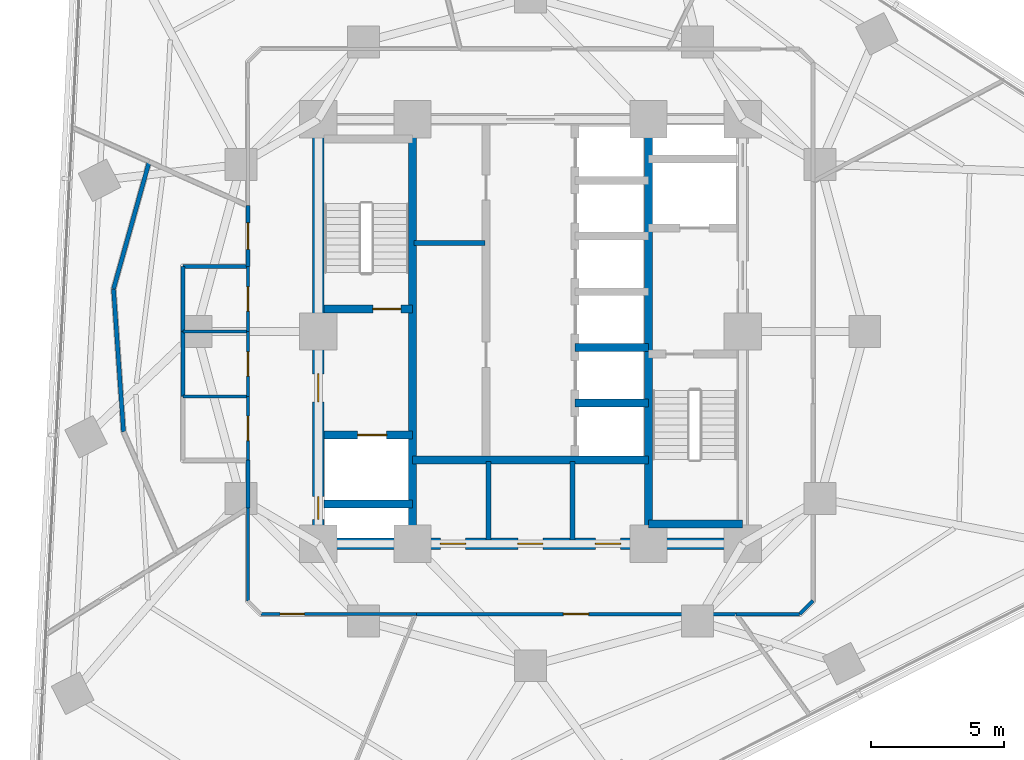
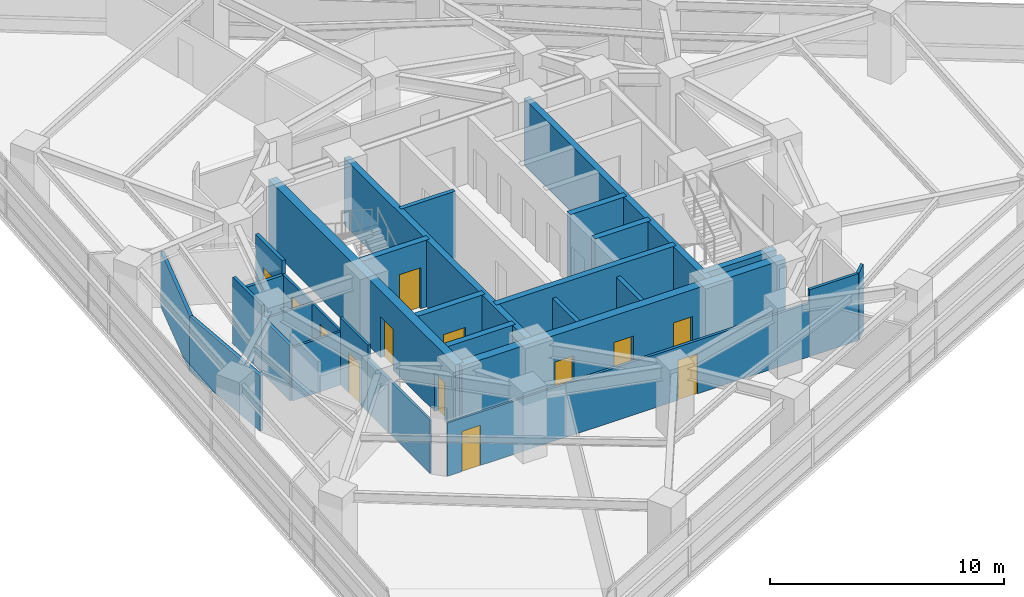
# One storey, part 8 of 14: 31 walls, 13 doors, 13 openings.
"""IFC4 building model written with IfcOpenShell, lengths in metres."""

from ifc_helpers import new_model, si_unit, direction, frame, frame_2d, origin, place, context, subcontext, project, spatial, rectangle, extrude, material, layer, layer_set, type_object, element, fill, save


model = new_model("IFC4")

# Units and contexts
model_context = context("Model", 3, precision=1e-05, world=origin(), true_north=direction((0.0, 1.0)))
body_context = subcontext(model_context, "Body", "Model", "MODEL_VIEW")
ifc_project = project(units=[si_unit("LENGTHUNIT", "METRE"), si_unit("AREAUNIT", "SQUARE_METRE"), si_unit("VOLUMEUNIT", "CUBIC_METRE"), si_unit("PLANEANGLEUNIT", "RADIAN"), si_unit("MASSUNIT", "GRAM", prefix="KILO")], contexts=[model_context])

# Site, building, storey
site_placement = place(None, origin())
site = spatial("IfcSite", under=ifc_project, at=site_placement, CompositionType="ELEMENT")
building_placement = place(site_placement, origin())
building = spatial("IfcBuilding", under=site, at=building_placement, Name="Terralouvre Media Tower", CompositionType="ELEMENT")
storey_placement = place(building_placement, frame((0.0, 0.0, 138.39990234375)))
storey = spatial("IfcBuildingStorey", under=building, at=storey_placement, Name="L35", CompositionType="ELEMENT", Elevation=138.39990234375)

# Walls
ifc_material_1 = material(Name="Concrete C50/60", Category="concrete")
ifc_layer_1 = layer(ifc_material_1, 0.300048828125, Name="Core Internal Shaft Wall CW-300")
ifc_layer_set_1 = layer_set([ifc_layer_1], Name="Concrete C50/60")
wall_type_1 = type_object("IfcWallType", Name="Core Internal Shaft Wall CW-300", PredefinedType="SHEAR", material=ifc_layer_set_1)
for number, where, z_axis, x_axis, name in (
    (1, (-4.449951171875, -7.7900390625, 0.0), (0.0, 0.0, 1.0), (0.0, 1.0, 0.0), "L35 Core Shaft Wall SPW"),
    (2, (4.449951171875, -7.7900390625, 0.0), (0.0, 0.0, 1.0), (0.0, 1.0, 0.0), "L35 Core Shaft Wall SPE"),
):
    element("IfcWall", number, at=place(storey_placement, frame(where, z_axis=z_axis, x_axis=x_axis)), inside=storey, type_object=wall_type_1, Name=name, PredefinedType="SHEAR", context=body_context, shape_type="SweptSolid", body=[
        extrude(rectangle(XDim=15.580078125, YDim=0.300048828125, at=frame_2d((7.7900390625, 0.0))), origin(), (0.0, 0.0, 1.0), 3.5),
    ])

# Wall, opening, door
wall_1_placement = place(storey_placement, frame((-7.7900390625, 0.85009765625, 0.0), z_axis=(0.0, 0.0, 1.0), x_axis=(1.0, 0.0, 0.0)))
wall_1 = element("IfcWall", 3, at=wall_1_placement, inside=storey, type_object=wall_type_1, Name="L35 Core Shaft Wall ST1D", PredefinedType="SHEAR", context=body_context, shape_type="SweptSolid", body=[
    extrude(rectangle(XDim=3.340087890625, YDim=0.300048828125, at=frame_2d((1.669921875, 0.0))), origin(), (0.0, 0.0, 1.0), 3.5),
])
opening_1_placement = place(wall_1_placement, frame((1.85009765625, 0.0, 0.0)))
opening_1 = element("IfcOpeningElement", 4, at=opening_1_placement, cuts=wall_1, Name="Opening FD-01-105X215", PredefinedType="OPENING", context=body_context, shape_type="SweptSolid", body=[
    extrude(rectangle(XDim=1.050048828125, YDim=2.14990234375, at=frame_2d((0.52490234375, 1.074951171875))), frame((0.0, 0.159912109375, 0.0), z_axis=(0.0, -1.0, 0.0), x_axis=(1.0, 0.0, 0.0)), (0.0, 0.0, 1.0), 0.320068359375),
])
ifc_material_2 = material(Name="Galvanised steel fire-resisting leaf", Category="steel")
door_type_1 = type_object("IfcDoorType", Name="Stair and Firefighting Lobby Fire Door FD-01 (1050x2150)", OperationType="NOTDEFINED", PredefinedType="DOOR", material=ifc_material_2)
door_1_placement = place(opening_1_placement, origin())
door_1 = element("IfcDoor", 5, at=door_1_placement, inside=storey, type_object=door_type_1, Name="L35 ST-01 Exit Stair Door", OperationType="SINGLE_SWING_LEFT", OverallHeight=2.14990234375, OverallWidth=1.050048828125, PredefinedType="DOOR", context=body_context, shape_type="SweptSolid", body=[
    extrude(rectangle(XDim=1.050048828125, YDim=2.14990234375, at=frame_2d((0.52490234375, 1.074951171875))), frame((0.0, 0.02490234375, 0.0), z_axis=(0.0, -1.0, 0.0), x_axis=(1.0, 0.0, 0.0)), (0.0, 0.0, 1.0), 0.050048828125),
])
fill(opening_1, door_1)

# Wall
wall_2_placement = place(storey_placement, frame((4.449951171875, -7.260009765625, 0.0), z_axis=(0.0, 0.0, 1.0), x_axis=(1.0, 0.0, 0.0)))
element("IfcWall", 6, at=wall_2_placement, inside=storey, type_object=wall_type_1, Name="L35 Core Shaft Wall ST2F", PredefinedType="SHEAR", context=body_context, shape_type="SweptSolid", body=[
    extrude(rectangle(XDim=3.550048828125, YDim=0.300048828125, at=frame_2d((1.77490234375, 0.0))), origin(), (0.0, 0.0, 1.0), 3.5),
])

# Wall, opening, door
wall_3_placement = place(storey_placement, frame((-7.7900390625, -3.89990234375, 0.0), z_axis=(0.0, 0.0, 1.0), x_axis=(1.0, 0.0, 0.0)))
wall_3 = element("IfcWall", 7, at=wall_3_placement, inside=storey, type_object=wall_type_1, Name="L35 Core Shaft Wall FF1N", PredefinedType="SHEAR", context=body_context, shape_type="SweptSolid", body=[
    extrude(rectangle(XDim=3.340087890625, YDim=0.300048828125, at=frame_2d((1.669921875, 0.0))), origin(), (0.0, 0.0, 1.0), 3.5),
])
opening_2_placement = place(wall_3_placement, frame((1.27001953125, 0.0, 0.0)))
opening_2 = element("IfcOpeningElement", 8, at=opening_2_placement, cuts=wall_3, Name="Opening LD-FF", PredefinedType="OPENING", context=body_context, shape_type="SweptSolid", body=[
    extrude(rectangle(XDim=1.10009765625, YDim=2.10009765625, at=frame_2d((0.550048828125, 1.050048828125))), frame((0.0, 0.159912109375, 0.0), z_axis=(0.0, -1.0, 0.0), x_axis=(1.0, 0.0, 0.0)), (0.0, 0.0, 1.0), 0.320068359375),
])
ifc_material_3 = material(Name="Stainless steel 316 handrail and balustrade", Category="steel")
door_type_2 = type_object("IfcDoorType", Name="Firefighting Lift Sliding Landing Door LD-FF", OperationType="SLIDING_TO_LEFT", PredefinedType="DOOR", material=ifc_material_3)
door_2_placement = place(opening_2_placement, origin())
door_2 = element("IfcDoor", 9, at=door_2_placement, inside=storey, type_object=door_type_2, Name="L35 Firefighting Lift FFL-01 Landing Door", OperationType="SLIDING_TO_LEFT", OverallHeight=2.10009765625, OverallWidth=1.10009765625, PredefinedType="DOOR", context=body_context, shape_type="SweptSolid", body=[
    extrude(rectangle(XDim=1.10009765625, YDim=2.10009765625, at=frame_2d((0.550048828125, 1.050048828125))), frame((0.0, 0.02490234375, 0.0), z_axis=(0.0, -1.0, 0.0), x_axis=(1.0, 0.0, 0.0)), (0.0, 0.0, 1.0), 0.050048828125),
])
fill(opening_2, door_2)

# Walls
wall_4_placement = place(storey_placement, frame((-7.7900390625, -6.5, 0.0), z_axis=(0.0, 0.0, 1.0), x_axis=(1.0, 0.0, 0.0)))
element("IfcWall", 10, at=wall_4_placement, inside=storey, type_object=wall_type_1, Name="L35 Core Shaft Wall FF1S", PredefinedType="SHEAR", context=body_context, shape_type="SweptSolid", body=[
    extrude(rectangle(XDim=3.340087890625, YDim=0.300048828125, at=frame_2d((1.669921875, 0.0))), origin(), (0.0, 0.0, 1.0), 3.5),
])
wall_5_placement = place(storey_placement, frame((-4.449951171875, -4.85009765625, 0.0), z_axis=(0.0, 0.0, 1.0), x_axis=(1.0, 0.0, 0.0)))
element("IfcWall", 11, at=wall_5_placement, inside=storey, type_object=wall_type_1, Name="L35 Core Shaft Wall CSBN", PredefinedType="SHEAR", context=body_context, shape_type="SweptSolid", body=[
    extrude(rectangle(XDim=8.89990234375, YDim=0.300048828125, at=frame_2d((4.449951171875, 0.0))), origin(), (0.0, 0.0, 1.0), 3.5),
])
for number, where, z_axis, x_axis, name in (
    (12, (1.679931640625, -2.699951171875, 0.0), (0.0, 0.0, 1.0), (1.0, 0.0, 0.0), "L35 Core Shaft Wall PLHD1"),
    (13, (1.679931640625, -0.60009765625, 0.0), (0.0, 0.0, 1.0), (1.0, 0.0, 0.0), "L35 Core Shaft Wall PLHD2"),
):
    element("IfcWall", number, at=place(storey_placement, frame(where, z_axis=z_axis, x_axis=x_axis)), inside=storey, type_object=wall_type_1, Name=name, PredefinedType="SHEAR", context=body_context, shape_type="SweptSolid", body=[
        extrude(rectangle(XDim=2.77001953125, YDim=0.300048828125, at=frame_2d((1.385009765625, 0.0))), origin(), (0.0, 0.0, 1.0), 3.5),
    ])

# Wall, openings, doors
ifc_material_4 = material(Name="Concrete C60/75", Category="concrete")
ifc_layer_2 = layer(ifc_material_4, 0.419921875, Name="Core Reinforced Concrete Shear Wall CW-420")
ifc_layer_set_2 = layer_set([ifc_layer_2], Name="Concrete C60/75")
wall_type_2 = type_object("IfcWallType", Name="Core Reinforced Concrete Shear Wall CW-420", PredefinedType="SHEAR", material=ifc_layer_set_2)
wall_6_placement = place(storey_placement, frame((-8.0, -8.0, 0.0), z_axis=(0.0, 0.0, 1.0), x_axis=(0.0, 1.0, 0.0)))
wall_6 = element("IfcWall", 14, at=wall_6_placement, inside=storey, type_object=wall_type_2, Name="L35 W Core Shear Wall", PredefinedType="SHEAR", context=body_context, shape_type="SweptSolid", body=[
    extrude(rectangle(XDim=16.0, YDim=0.419921875, at=frame_2d((8.0, 0.0))), origin(), (0.0, 0.0, 1.0), 3.5),
])
opening_3_placement = place(wall_6_placement, frame((0.921630859375, 0.0, 0.0)))
opening_3 = element("IfcOpeningElement", 15, at=opening_3_placement, cuts=wall_6, Name="Opening TD-R1", PredefinedType="OPENING", context=body_context, shape_type="SweptSolid", body=[
    extrude(rectangle(XDim=0.85009765625, YDim=2.02001953125, at=frame_2d((0.425048828125, 1.010009765625))), frame((0.0, 0.219970703125, 0.0), z_axis=(0.0, -1.0, 0.0), x_axis=(1.0, 0.0, 0.0)), (0.0, 0.0, 1.0), 0.43994140625),
])
opening_4_placement = place(wall_6_placement, frame((5.35009765625, 0.0, 0.0)))
opening_4 = element("IfcOpeningElement", 16, at=opening_4_placement, cuts=wall_6, Name="Opening FD-01-105X215", PredefinedType="OPENING", context=body_context, shape_type="SweptSolid", body=[
    extrude(rectangle(XDim=1.050048828125, YDim=2.14990234375, at=frame_2d((0.52490234375, 1.074951171875))), frame((0.0, 0.219970703125, 0.0), z_axis=(0.0, -1.0, 0.0), x_axis=(1.0, 0.0, 0.0)), (0.0, 0.0, 1.0), 0.43994140625),
])
ifc_material_5 = material(Name="Galvanised steel fire-resisting leaf", Category="steel")
door_type_3 = type_object("IfcDoorType", Name="Riser Inspection Access Trapdoor TD-R1", OperationType="NOTDEFINED", PredefinedType="TRAPDOOR", material=ifc_material_5)
door_3_placement = place(opening_3_placement, origin())
door_3 = element("IfcDoor", 17, at=door_3_placement, inside=storey, type_object=door_type_3, Name="L35 Wet Riser Access Trapdoor", OperationType="SINGLE_SWING_LEFT", OverallHeight=2.02001953125, OverallWidth=0.85009765625, PredefinedType="TRAPDOOR", context=body_context, shape_type="SweptSolid", body=[
    extrude(rectangle(XDim=0.85009765625, YDim=2.02001953125, at=frame_2d((0.425048828125, 1.010009765625))), frame((0.0, 0.02490234375, 0.0), z_axis=(0.0, -1.0, 0.0), x_axis=(1.0, 0.0, 0.0)), (0.0, 0.0, 1.0), 0.050048828125),
])
fill(opening_3, door_3)
door_4_placement = place(opening_4_placement, origin())
door_4 = element("IfcDoor", 18, at=door_4_placement, inside=storey, type_object=door_type_1, Name="L35 West Firefighting Lobby Entry Door", OperationType="SINGLE_SWING_RIGHT", OverallHeight=2.14990234375, OverallWidth=1.050048828125, PredefinedType="DOOR", context=body_context, shape_type="SweptSolid", body=[
    extrude(rectangle(XDim=1.050048828125, YDim=2.14990234375, at=frame_2d((0.52490234375, 1.074951171875))), frame((0.0, 0.02490234375, 0.0), z_axis=(0.0, -1.0, 0.0), x_axis=(1.0, 0.0, 0.0)), (0.0, 0.0, 1.0), 0.050048828125),
])
fill(opening_4, door_4)

wall_7_placement = place(storey_placement, frame((-8.0, -8.0, 0.0), z_axis=(0.0, 0.0, 1.0), x_axis=(1.0, 0.0, 0.0)))
wall_7 = element("IfcWall", 19, at=wall_7_placement, inside=storey, type_object=wall_type_2, Name="L35 S Core Shear Wall", PredefinedType="SHEAR", context=body_context, shape_type="SweptSolid", body=[
    extrude(rectangle(XDim=16.0, YDim=0.419921875, at=frame_2d((8.0, 0.0))), origin(), (0.0, 0.0, 1.0), 3.5),
])
opening_5_placement = place(wall_7_placement, frame((4.60009765625, 0.0, 0.0)))
opening_5 = element("IfcOpeningElement", 20, at=opening_5_placement, cuts=wall_7, Name="Opening FD-02-95X210", PredefinedType="OPENING", context=body_context, shape_type="SweptSolid", body=[
    extrude(rectangle(XDim=0.949951171875, YDim=2.10009765625, at=frame_2d((0.47509765625, 1.050048828125))), frame((0.0, 0.219970703125, 0.0), z_axis=(0.0, -1.0, 0.0), x_axis=(1.0, 0.0, 0.0)), (0.0, 0.0, 1.0), 0.43994140625),
])
opening_6_placement = place(wall_7_placement, frame((7.52001953125, 0.0, 0.0)))
opening_6 = element("IfcOpeningElement", 21, at=opening_6_placement, cuts=wall_7, Name="Opening FD-02-95X210", PredefinedType="OPENING", context=body_context, shape_type="SweptSolid", body=[
    extrude(rectangle(XDim=0.949951171875, YDim=2.10009765625, at=frame_2d((0.47509765625, 1.050048828125))), frame((0.0, 0.219970703125, 0.0), z_axis=(0.0, -1.0, 0.0), x_axis=(1.0, 0.0, 0.0)), (0.0, 0.0, 1.0), 0.43994140625),
])
opening_7_placement = place(wall_7_placement, frame((10.449951171875, 0.0, 0.0)))
opening_7 = element("IfcOpeningElement", 22, at=opening_7_placement, cuts=wall_7, Name="Opening FD-02-95X210", PredefinedType="OPENING", context=body_context, shape_type="SweptSolid", body=[
    extrude(rectangle(XDim=0.949951171875, YDim=2.10009765625, at=frame_2d((0.47509765625, 1.050048828125))), frame((0.0, 0.219970703125, 0.0), z_axis=(0.0, -1.0, 0.0), x_axis=(1.0, 0.0, 0.0)), (0.0, 0.0, 1.0), 0.43994140625),
])
ifc_material_6 = material(Name="Galvanised steel fire-resisting leaf", Category="steel")
door_type_4 = type_object("IfcDoorType", Name="Plant and Riser Fire Door FD-02 (950x2100)", OperationType="NOTDEFINED", PredefinedType="DOOR", material=ifc_material_6)
door_5_placement = place(opening_5_placement, origin())
door_5 = element("IfcDoor", 23, at=door_5_placement, inside=storey, type_object=door_type_4, Name="L35 Core Janitor Store Door", OperationType="SINGLE_SWING_LEFT", OverallHeight=2.10009765625, OverallWidth=0.949951171875, PredefinedType="DOOR", context=body_context, shape_type="SweptSolid", body=[
    extrude(rectangle(XDim=0.949951171875, YDim=2.10009765625, at=frame_2d((0.47509765625, 1.050048828125))), frame((0.0, 0.02490234375, 0.0), z_axis=(0.0, -1.0, 0.0), x_axis=(1.0, 0.0, 0.0)), (0.0, 0.0, 1.0), 0.050048828125),
])
fill(opening_5, door_5)
door_6_placement = place(opening_6_placement, origin())
door_6 = element("IfcDoor", 24, at=door_6_placement, inside=storey, type_object=door_type_4, Name="L35 Core Linen Store Door", OperationType="SINGLE_SWING_RIGHT", OverallHeight=2.10009765625, OverallWidth=0.949951171875, PredefinedType="DOOR", context=body_context, shape_type="SweptSolid", body=[
    extrude(rectangle(XDim=0.949951171875, YDim=2.10009765625, at=frame_2d((0.47509765625, 1.050048828125))), frame((0.0, 0.02490234375, 0.0), z_axis=(0.0, -1.0, 0.0), x_axis=(1.0, 0.0, 0.0)), (0.0, 0.0, 1.0), 0.050048828125),
])
fill(opening_6, door_6)
door_7_placement = place(opening_7_placement, origin())
door_7 = element("IfcDoor", 25, at=door_7_placement, inside=storey, type_object=door_type_4, Name="L35 Core Metering Plant Door", OperationType="SINGLE_SWING_LEFT", OverallHeight=2.10009765625, OverallWidth=0.949951171875, PredefinedType="DOOR", context=body_context, shape_type="SweptSolid", body=[
    extrude(rectangle(XDim=0.949951171875, YDim=2.10009765625, at=frame_2d((0.47509765625, 1.050048828125))), frame((0.0, 0.02490234375, 0.0), z_axis=(0.0, -1.0, 0.0), x_axis=(1.0, 0.0, 0.0)), (0.0, 0.0, 1.0), 0.050048828125),
])
fill(opening_7, door_7)

# Wall
ifc_material_7 = material(Name="Low-iron laminated double glazing with solar-control coating", Category="glass")
ifc_layer_3 = layer(ifc_material_7, 0.10009765625, Name="Demountable Glazed Office Partition PT-GL100")
ifc_layer_set_3 = layer_set([ifc_layer_3], Name="Low-iron laminated double glazing with solar-control coating")
wall_type_3 = type_object("IfcWallType", Name="Demountable Glazed Office Partition PT-GL100", PredefinedType="MOVABLE", material=ifc_layer_set_3)
wall_8_placement = place(storey_placement, frame((-10.64990234375, -6.655029296875, 0.0), z_axis=(0.0, 0.0, 1.0), x_axis=(0.0, -1.0, 0.0)))
element("IfcWall", 26, at=wall_8_placement, inside=storey, type_object=wall_type_3, Name="L35 Interior Partition 005", PredefinedType="MOVABLE", context=body_context, shape_type="SweptSolid", body=[
    extrude(rectangle(XDim=3.494873046875, YDim=0.10009765625, at=frame_2d((1.74755859375, 0.0))), origin(), (0.0, 0.0, 1.0), 2.78515625),
])

# Wall, opening, door
wall_9_placement = place(storey_placement, frame((-10.14990234375, -10.64990234375, 0.0), z_axis=(0.0, 0.0, 1.0), x_axis=(1.0, 0.0, 0.0)))
wall_9 = element("IfcWall", 27, at=wall_9_placement, inside=storey, type_object=wall_type_3, Name="L35 Interior Partition 007", PredefinedType="MOVABLE", context=body_context, shape_type="SweptSolid", body=[
    extrude(rectangle(XDim=5.846923828125, YDim=0.10009765625, at=frame_2d((2.92333984375, 0.0))), origin(), (0.0, 0.0, 1.0), 2.78515625),
])
opening_8_placement = place(wall_9_placement, frame((0.70947265625, 0.0, 0.0)))
opening_8 = element("IfcOpeningElement", 28, at=opening_8_placement, cuts=wall_9, Name="Opening ID-03-92X210", PredefinedType="OPENING", context=body_context, shape_type="SweptSolid", body=[
    extrude(rectangle(XDim=0.919921875, YDim=2.10009765625, at=frame_2d((0.4599609375, 1.050048828125))), frame((0.0, 0.06005859375, 0.0), z_axis=(0.0, -1.0, 0.0), x_axis=(1.0, 0.0, 0.0)), (0.0, 0.0, 1.0), 0.1201171875),
])
ifc_material_8 = material(Name="Engineered hardwood acoustic timber leaf", Category="wood")
door_type_5 = type_object("IfcDoorType", Name="Accessible Restroom and Suite Door ID-03 (920x2100)", OperationType="NOTDEFINED", PredefinedType="DOOR", material=ifc_material_8)
door_8_placement = place(opening_8_placement, origin())
door_8 = element("IfcDoor", 29, at=door_8_placement, inside=storey, type_object=door_type_5, Name="L35 Arts Critique Seminar Room 3 Door", OperationType="SINGLE_SWING_LEFT", OverallHeight=2.10009765625, OverallWidth=0.919921875, PredefinedType="DOOR", context=body_context, shape_type="SweptSolid", body=[
    extrude(rectangle(XDim=0.919921875, YDim=2.10009765625, at=frame_2d((0.4599609375, 1.050048828125))), frame((0.0, 0.02490234375, 0.0), z_axis=(0.0, -1.0, 0.0), x_axis=(1.0, 0.0, 0.0)), (0.0, 0.0, 1.0), 0.050048828125),
])
fill(opening_8, door_8)

# Walls
ifc_material_9 = material(Name="Fire-rated gypsum board drywall partition")
ifc_layer_4 = layer(ifc_material_9, 0.199951171875, Name="Fire-Rated Shaft and Lobby Partition FW-200")
ifc_layer_set_4 = layer_set([ifc_layer_4], Name="Fire-rated gypsum board drywall partition")
wall_type_4 = type_object("IfcWallType", Name="Fire-Rated Shaft and Lobby Partition FW-200", PredefinedType="SOLIDWALL", material=ifc_layer_set_4)
for number, where, z_axis, x_axis, name in (
    (30, (-1.580078125, -7.85009765625, 0.0), (0.0, 0.0, 1.0), (0.0, 1.0, 0.0), "L35 Core Service Bay Partition 1"),
    (31, (1.580078125, -7.85009765625, 0.0), (0.0, 0.0, 1.0), (0.0, 1.0, 0.0), "L35 Core Service Bay Partition 2"),
):
    element("IfcWall", number, at=place(storey_placement, frame(where, z_axis=z_axis, x_axis=x_axis)), inside=storey, type_object=wall_type_4, Name=name, PredefinedType="SOLIDWALL", context=body_context, shape_type="SweptSolid", body=[
        extrude(rectangle(XDim=2.9501953125, YDim=0.199951171875, at=frame_2d((1.47509765625, 0.0))), origin(), (0.0, 0.0, 1.0), 2.885009765625),
    ])
wall_10_placement = place(storey_placement, frame((-4.39990234375, 3.340087890625, 0.0), z_axis=(0.0, 0.0, 1.0), x_axis=(1.0, 0.0, 0.0)))
element("IfcWall", 32, at=wall_10_placement, inside=storey, type_object=wall_type_4, Name="L35 Core West Sub-Partition 1", PredefinedType="SOLIDWALL", context=body_context, shape_type="SweptSolid", body=[
    extrude(rectangle(XDim=2.679931640625, YDim=0.199951171875, at=frame_2d((1.33984375, 0.0))), origin(), (0.0, 0.0, 1.0), 3.5),
])

# Wall, opening, door
ifc_material_10 = material(Name="Fire-rated gypsum board drywall partition")
ifc_layer_5 = layer(ifc_material_10, 0.135009765625, Name="Newsroom Acoustic Partition PT-135")
ifc_layer_set_5 = layer_set([ifc_layer_5], Name="Fire-rated gypsum board drywall partition")
wall_type_5 = type_object("IfcWallType", Name="Newsroom Acoustic Partition PT-135", PredefinedType="PARTITIONING", material=ifc_layer_set_5)
wall_11_placement = place(storey_placement, frame((-4.302978515625, -10.64990234375, 0.0), z_axis=(0.0, 0.0, 1.0), x_axis=(1.0, 0.0, 0.0)))
wall_11 = element("IfcWall", 33, at=wall_11_placement, inside=storey, type_object=wall_type_5, Name="L35 Interior Partition 008", PredefinedType="PARTITIONING", context=body_context, shape_type="SweptSolid", body=[
    extrude(rectangle(XDim=12.041015625, YDim=0.135009765625, at=frame_2d((6.0205078125, 0.0))), origin(), (0.0, 0.0, 1.0), 2.78515625),
])
opening_9_placement = place(wall_11_placement, frame((5.54541015625, 0.0, 0.0)))
opening_9 = element("IfcOpeningElement", 34, at=opening_9_placement, cuts=wall_11, Name="Opening ID-02-95X210", PredefinedType="OPENING", context=body_context, shape_type="SweptSolid", body=[
    extrude(rectangle(XDim=0.949951171875, YDim=2.10009765625, at=frame_2d((0.47509765625, 1.050048828125))), frame((0.0, 0.077392578125, 0.0), z_axis=(0.0, -1.0, 0.0), x_axis=(1.0, 0.0, 0.0)), (0.0, 0.0, 1.0), 0.155029296875),
])
ifc_material_11 = material(Name="Engineered hardwood acoustic timber leaf", Category="wood")
door_type_6 = type_object("IfcDoorType", Name="Office and Meeting Room Door ID-02 (950x2100)", OperationType="NOTDEFINED", PredefinedType="DOOR", material=ifc_material_11)
door_9_placement = place(opening_9_placement, origin())
door_9 = element("IfcDoor", 35, at=door_9_placement, inside=storey, type_object=door_type_6, Name="L35 Cultural Quarterly Editorial Office 4 Door", OperationType="SINGLE_SWING_RIGHT", OverallHeight=2.10009765625, OverallWidth=0.949951171875, PredefinedType="DOOR", context=body_context, shape_type="SweptSolid", body=[
    extrude(rectangle(XDim=0.949951171875, YDim=2.10009765625, at=frame_2d((0.47509765625, 1.050048828125))), frame((0.0, 0.02490234375, 0.0), z_axis=(0.0, -1.0, 0.0), x_axis=(1.0, 0.0, 0.0)), (0.0, 0.0, 1.0), 0.050048828125),
])
fill(opening_9, door_9)

# Walls
wall_12_placement = place(storey_placement, frame((7.738037109375, -10.64990234375, 0.0), z_axis=(0.0, 0.0, 1.0), x_axis=(1.0, 0.0, 0.0)))
element("IfcWall", 36, at=wall_12_placement, inside=storey, type_object=wall_type_5, Name="L35 Interior Partition 009", PredefinedType="PARTITIONING", context=body_context, shape_type="SweptSolid", body=[
    extrude(rectangle(XDim=2.411865234375, YDim=0.135009765625, at=frame_2d((1.2060546875, 0.0))), origin(), (0.0, 0.0, 1.0), 3.5),
])
wall_13_placement = place(storey_placement, frame((10.14990234375, -10.64990234375, 0.0), z_axis=(0.0, 0.0, 1.0), x_axis=(0.707106781187, 0.707106781187, 0.0)))
element("IfcWall", 37, at=wall_13_placement, inside=storey, type_object=wall_type_5, Name="L35 Interior Partition 010", PredefinedType="PARTITIONING", context=body_context, shape_type="SweptSolid", body=[
    extrude(rectangle(XDim=0.70703125, YDim=0.135009765625, at=frame_2d((0.353515625, 0.0))), origin(), (0.0, 0.0, 1.0), 3.5),
])

# Wall, opening, door
ifc_material_12 = material(Name="Fire-rated gypsum board drywall partition")
ifc_layer_6 = layer(ifc_material_12, 0.114990234375, Name="Restroom and Pantry Partition PT-115")
ifc_layer_set_6 = layer_set([ifc_layer_6], Name="Fire-rated gypsum board drywall partition")
wall_type_6 = type_object("IfcWallType", Name="Restroom and Pantry Partition PT-115", PredefinedType="PARTITIONING", material=ifc_layer_set_6)
wall_14_placement = place(storey_placement, frame((-10.64990234375, 0.0, 0.0), z_axis=(0.0, 0.0, 1.0), x_axis=(0.0, -1.0, 0.0)))
wall_14 = element("IfcWall", 38, at=wall_14_placement, inside=storey, type_object=wall_type_6, Name="L35 Interior Partition 003", PredefinedType="PARTITIONING", context=body_context, shape_type="SweptSolid", body=[
    extrude(rectangle(XDim=2.449951171875, YDim=0.114990234375, at=frame_2d((1.22509765625, 0.0))), origin(), (0.0, 0.0, 1.0), 2.78515625),
])
opening_10_placement = place(wall_14_placement, frame((0.764892578125, 0.0, 0.0)))
opening_10 = element("IfcOpeningElement", 39, at=opening_10_placement, cuts=wall_14, Name="Opening ID-03-92X210", PredefinedType="OPENING", context=body_context, shape_type="SweptSolid", body=[
    extrude(rectangle(XDim=0.919921875, YDim=2.10009765625, at=frame_2d((0.4599609375, 1.050048828125))), frame((0.0, 0.0673828125, 0.0), z_axis=(0.0, -1.0, 0.0), x_axis=(1.0, 0.0, 0.0)), (0.0, 0.0, 1.0), 0.135009765625),
])
door_10_placement = place(opening_10_placement, origin())
door_10 = element("IfcDoor", 40, at=door_10_placement, inside=storey, type_object=door_type_5, Name="L35 Female Restroom WC Door", OperationType="SINGLE_SWING_LEFT", OverallHeight=2.10009765625, OverallWidth=0.919921875, PredefinedType="DOOR", context=body_context, shape_type="SweptSolid", body=[
    extrude(rectangle(XDim=0.919921875, YDim=2.10009765625, at=frame_2d((0.4599609375, 1.050048828125))), frame((0.0, 0.02490234375, 0.0), z_axis=(0.0, -1.0, 0.0), x_axis=(1.0, 0.0, 0.0)), (0.0, 0.0, 1.0), 0.050048828125),
])
fill(opening_10, door_10)

wall_15_placement = place(storey_placement, frame((-10.64990234375, -2.449951171875, 0.0), z_axis=(0.0, 0.0, 1.0), x_axis=(0.0, -1.0, 0.0)))
wall_15 = element("IfcWall", 41, at=wall_15_placement, inside=storey, type_object=wall_type_6, Name="L35 Interior Partition 004", PredefinedType="PARTITIONING", context=body_context, shape_type="SweptSolid", body=[
    extrude(rectangle(XDim=2.400146484375, YDim=0.114990234375, at=frame_2d((1.2001953125, 0.0))), origin(), (0.0, 0.0, 1.0), 3.5),
])
opening_11_placement = place(wall_15_placement, frame((0.739990234375, 0.0, 0.0)))
opening_11 = element("IfcOpeningElement", 42, at=opening_11_placement, cuts=wall_15, Name="Opening ID-03-92X210", PredefinedType="OPENING", context=body_context, shape_type="SweptSolid", body=[
    extrude(rectangle(XDim=0.919921875, YDim=2.10009765625, at=frame_2d((0.4599609375, 1.050048828125))), frame((0.0, 0.0673828125, 0.0), z_axis=(0.0, -1.0, 0.0), x_axis=(1.0, 0.0, 0.0)), (0.0, 0.0, 1.0), 0.135009765625),
])
door_11_placement = place(opening_11_placement, origin())
door_11 = element("IfcDoor", 43, at=door_11_placement, inside=storey, type_object=door_type_5, Name="L35 Male Restroom WC Door", OperationType="SINGLE_SWING_RIGHT", OverallHeight=2.10009765625, OverallWidth=0.919921875, PredefinedType="DOOR", context=body_context, shape_type="SweptSolid", body=[
    extrude(rectangle(XDim=0.919921875, YDim=2.10009765625, at=frame_2d((0.4599609375, 1.050048828125))), frame((0.0, 0.02490234375, 0.0), z_axis=(0.0, -1.0, 0.0), x_axis=(1.0, 0.0, 0.0)), (0.0, 0.0, 1.0), 0.050048828125),
])
fill(opening_11, door_11)

wall_16_placement = place(storey_placement, frame((-10.64990234375, 2.449951171875, 0.0), z_axis=(0.0, 0.0, 1.0), x_axis=(0.0, -1.0, 0.0)))
wall_16 = element("IfcWall", 44, at=wall_16_placement, inside=storey, type_object=wall_type_6, Name="L35 Interior Partition 019", PredefinedType="PARTITIONING", context=body_context, shape_type="SweptSolid", body=[
    extrude(rectangle(XDim=2.449951171875, YDim=0.114990234375, at=frame_2d((1.22509765625, 0.0))), origin(), (0.0, 0.0, 1.0), 2.78515625),
])
opening_12_placement = place(wall_16_placement, frame((0.764892578125, 0.0, 0.0)))
opening_12 = element("IfcOpeningElement", 45, at=opening_12_placement, cuts=wall_16, Name="Opening ID-03-92X210", PredefinedType="OPENING", context=body_context, shape_type="SweptSolid", body=[
    extrude(rectangle(XDim=0.919921875, YDim=2.10009765625, at=frame_2d((0.4599609375, 1.050048828125))), frame((0.0, 0.0673828125, 0.0), z_axis=(0.0, -1.0, 0.0), x_axis=(1.0, 0.0, 0.0)), (0.0, 0.0, 1.0), 0.135009765625),
])
door_12_placement = place(opening_12_placement, origin())
door_12 = element("IfcDoor", 46, at=door_12_placement, inside=storey, type_object=door_type_5, Name="L35 Accessible Unisex WC Door", OperationType="SINGLE_SWING_LEFT", OverallHeight=2.10009765625, OverallWidth=0.919921875, PredefinedType="DOOR", context=body_context, shape_type="SweptSolid", body=[
    extrude(rectangle(XDim=0.919921875, YDim=2.10009765625, at=frame_2d((0.4599609375, 1.050048828125))), frame((0.0, 0.02490234375, 0.0), z_axis=(0.0, -1.0, 0.0), x_axis=(1.0, 0.0, 0.0)), (0.0, 0.0, 1.0), 0.050048828125),
])
fill(opening_12, door_12)

# Walls
for number, where, z_axis, x_axis, name in (
    (47, (-13.10009765625, -2.449951171875, 0.0), (0.0, 0.0, 1.0), (1.0, 0.0, 0.0), "L35 Interior Partition 030"),
    (48, (-10.64990234375, 0.0, 0.0), (0.0, 0.0, 1.0), (-1.0, 0.0, 0.0), "L35 Interior Partition 031"),
):
    element("IfcWall", number, at=place(storey_placement, frame(where, z_axis=z_axis, x_axis=x_axis)), inside=storey, type_object=wall_type_6, Name=name, PredefinedType="PARTITIONING", context=body_context, shape_type="SweptSolid", body=[
        extrude(rectangle(XDim=2.4501953125, YDim=0.114990234375, at=frame_2d((1.22509765625, 0.0))), origin(), (0.0, 0.0, 1.0), 2.78515625),
    ])
ifc_material_13 = material(Name="Fire-rated gypsum board drywall partition")
ifc_layer_7 = layer(ifc_material_13, 0.159912109375, Name="Studio Acoustic Rated Partition PT-160")
ifc_layer_set_7 = layer_set([ifc_layer_7], Name="Fire-rated gypsum board drywall partition")
wall_type_7 = type_object("IfcWallType", Name="Studio Acoustic Rated Partition PT-160", PredefinedType="PARTITIONING", material=ifc_layer_set_7)
wall_17_placement = place(storey_placement, frame((-10.64990234375, -4.85009765625, 0.0), z_axis=(0.0, 0.0, 1.0), x_axis=(0.0, -1.0, 0.0)))
element("IfcWall", 49, at=wall_17_placement, inside=storey, type_object=wall_type_7, Name="L35 Interior Partition 001", PredefinedType="PARTITIONING", context=body_context, shape_type="SweptSolid", body=[
    extrude(rectangle(XDim=1.804931640625, YDim=0.159912109375, at=frame_2d((0.90234375, 0.0))), origin(), (0.0, 0.0, 1.0), 2.78515625),
])

# Wall, opening, door
wall_18_placement = place(storey_placement, frame((-10.64990234375, 4.741943359375, 0.0), z_axis=(0.0, 0.0, 1.0), x_axis=(0.0, -1.0, 0.0)))
wall_18 = element("IfcWall", 50, at=wall_18_placement, inside=storey, type_object=wall_type_7, Name="L35 Interior Partition 002", PredefinedType="PARTITIONING", context=body_context, shape_type="SweptSolid", body=[
    extrude(rectangle(XDim=2.2919921875, YDim=0.159912109375, at=frame_2d((1.14599609375, 0.0))), origin(), (0.0, 0.0, 1.0), 3.5),
])
opening_13_placement = place(wall_18_placement, frame((0.64599609375, 0.0, 0.0)))
opening_13 = element("IfcOpeningElement", 51, at=opening_13_placement, cuts=wall_18, Name="Opening ID-01-100X215", PredefinedType="OPENING", context=body_context, shape_type="SweptSolid", body=[
    extrude(rectangle(XDim=1.0, YDim=2.14990234375, at=frame_2d((0.5, 1.074951171875))), frame((0.0, 0.08984375, 0.0), z_axis=(0.0, -1.0, 0.0), x_axis=(1.0, 0.0, 0.0)), (0.0, 0.0, 1.0), 0.179931640625),
])
ifc_material_14 = material(Name="Engineered hardwood acoustic timber leaf", Category="wood")
door_type_7 = type_object("IfcDoorType", Name="Broadcast Studio Acoustic Single Door ID-01 (1000x2150)", OperationType="NOTDEFINED", PredefinedType="DOOR", material=ifc_material_14)
door_13_placement = place(opening_13_placement, origin())
door_13 = element("IfcDoor", 52, at=door_13_placement, inside=storey, type_object=door_type_7, Name="L35 Audio Digitisation Control Room 1 Door", OperationType="SINGLE_SWING_RIGHT", OverallHeight=2.14990234375, OverallWidth=1.0, PredefinedType="DOOR", context=body_context, shape_type="SweptSolid", body=[
    extrude(rectangle(XDim=1.0, YDim=2.14990234375, at=frame_2d((0.5, 1.074951171875))), frame((0.0, 0.02490234375, 0.0), z_axis=(0.0, -1.0, 0.0), x_axis=(1.0, 0.0, 0.0)), (0.0, 0.0, 1.0), 0.050048828125),
])
fill(opening_13, door_13)

# Walls
wall_19_placement = place(storey_placement, frame((-13.10009765625, -2.449951171875, 0.0), z_axis=(0.0, 0.0, 1.0), x_axis=(0.0, 1.0, 0.0)))
element("IfcWall", 53, at=wall_19_placement, inside=storey, type_object=wall_type_7, Name="L35 Interior Partition 020", PredefinedType="PARTITIONING", context=body_context, shape_type="SweptSolid", body=[
    extrude(rectangle(XDim=2.449951171875, YDim=0.159912109375, at=frame_2d((1.22509765625, 0.0))), origin(), (0.0, 0.0, 1.0), 2.885009765625),
])
wall_20_placement = place(storey_placement, frame((-14.3740234375, 6.39990234375, 0.0), z_axis=(0.0, 0.0, 1.0), x_axis=(-0.269944572541, -0.962875863108, 0.0)))
element("IfcWall", 54, at=wall_20_placement, inside=storey, type_object=wall_type_7, Name="L35 Interior Partition 021", PredefinedType="PARTITIONING", context=body_context, shape_type="SweptSolid", body=[
    extrude(rectangle(XDim=4.978759765625, YDim=0.159912109375, at=frame_2d((2.4892578125, 0.0))), origin(), (0.0, 0.0, 1.0), 2.885009765625),
])
wall_21_placement = place(storey_placement, frame((-15.718017578125, 1.60595703125, 0.0), z_axis=(0.0, 0.0, 1.0), x_axis=(0.069662122655, -0.997570643447, 0.0)))
element("IfcWall", 55, at=wall_21_placement, inside=storey, type_object=wall_type_7, Name="L35 Interior Partition 022", PredefinedType="PARTITIONING", context=body_context, shape_type="SweptSolid", body=[
    extrude(rectangle(XDim=5.397216796875, YDim=0.159912109375, at=frame_2d((2.69873046875, 0.0))), origin(), (0.0, 0.0, 1.0), 2.885009765625),
])
wall_22_placement = place(storey_placement, frame((-13.10009765625, 0.0, 0.0), z_axis=(0.0, 0.0, 1.0), x_axis=(0.0, 1.0, 0.0)))
element("IfcWall", 56, at=wall_22_placement, inside=storey, type_object=wall_type_7, Name="L35 Interior Partition 028", PredefinedType="PARTITIONING", context=body_context, shape_type="SweptSolid", body=[
    extrude(rectangle(XDim=2.449951171875, YDim=0.159912109375, at=frame_2d((1.22509765625, 0.0))), origin(), (0.0, 0.0, 1.0), 3.5),
])
wall_23_placement = place(storey_placement, frame((-13.10009765625, 2.449951171875, 0.0), z_axis=(0.0, 0.0, 1.0), x_axis=(1.0, 0.0, 0.0)))
element("IfcWall", 57, at=wall_23_placement, inside=storey, type_object=wall_type_7, Name="L35 Interior Partition 029", PredefinedType="PARTITIONING", context=body_context, shape_type="SweptSolid", body=[
    extrude(rectangle(XDim=2.4501953125, YDim=0.159912109375, at=frame_2d((1.22509765625, 0.0))), origin(), (0.0, 0.0, 1.0), 2.78515625),
])

save(model, "model.ifc")
